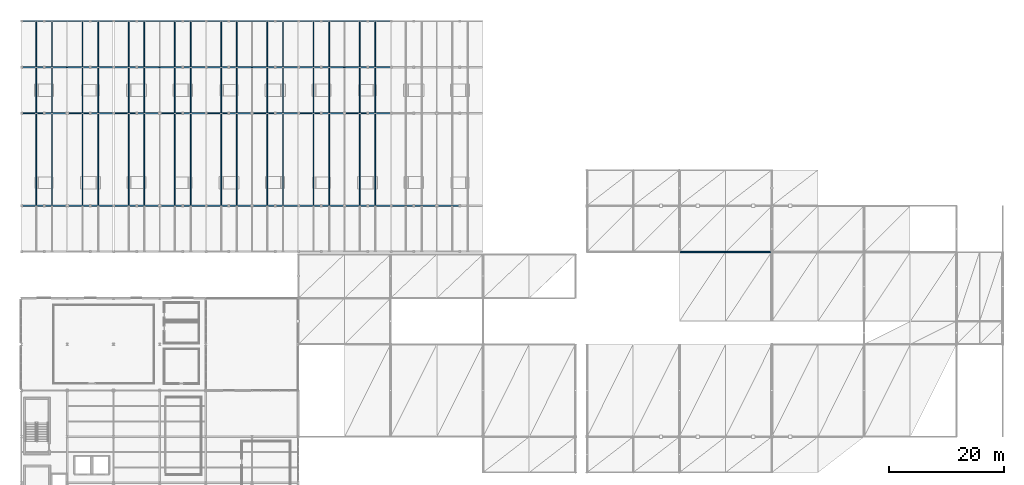
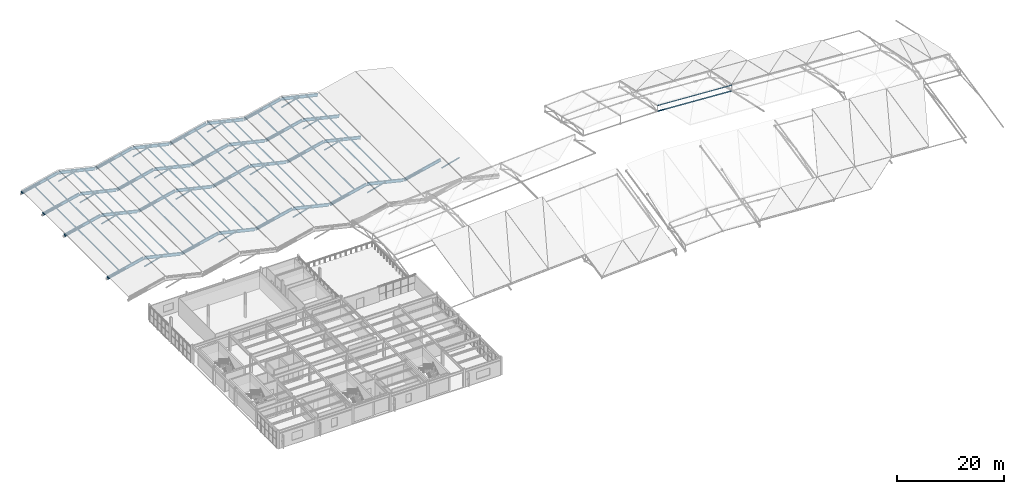
# One storey, part 23 of 67: 83 members, 34 beams.
"""IFC4 building model written with IfcOpenShell, lengths in metres."""

from ifc_helpers import new_model, si_unit, direction, frame, origin, origin_2d, place, context, subcontext, project, spatial, hollow_rectangle, hollow_circle, i_section, extrude, material, material_profile, profile_set, type_object, element, save


model = new_model("IFC4")

# Units and contexts
model_context = context("Model", 3, precision=1e-05, world=origin(), true_north=direction((0.0, 1.0)))
body_context = subcontext(model_context, "Body", "Model", "MODEL_VIEW")
ifc_project = project(units=[si_unit("LENGTHUNIT", "METRE"), si_unit("AREAUNIT", "SQUARE_METRE"), si_unit("VOLUMEUNIT", "CUBIC_METRE"), si_unit("PLANEANGLEUNIT", "RADIAN"), si_unit("MASSUNIT", "GRAM", prefix="KILO")], contexts=[model_context])

# Site, building, storey
site_placement = place(None, origin())
site = spatial("IfcSite", under=ifc_project, at=site_placement, CompositionType="ELEMENT")
building_placement = place(site_placement, origin())
building = spatial("IfcBuilding", under=site, at=building_placement, Name="Drelvath Fold Interchange", CompositionType="ELEMENT")
storey_placement = place(building_placement, frame((0.0, 0.0, 15.60009765625)))
storey = spatial("IfcBuildingStorey", under=building, at=storey_placement, Name="L03", CompositionType="ELEMENT", Elevation=15.60009765625)

# Beams
ifc_material_1 = material(Name="Steel ASTM A992 Grade 50", Category="steel")
ifc_material_profile_1 = material_profile(ifc_material_1, i_section(OverallWidth=0.256103515625, OverallDepth=0.693115234375, WebThickness=0.014404296875, FlangeThickness=0.023681640625, at=origin_2d()), Name="W27X114")
ifc_profile_set_1 = profile_set([ifc_material_profile_1], Name="Steel ASTM A992 Grade 50")
beam_type_1 = type_object("IfcBeamType", Name="BM-W27X114", PredefinedType="BEAM", material=ifc_profile_set_1)
for number, where, z_axis, x_axis, name in (
    (1, (4.050048828125, 67.0, -0.10009765625), (0.973655780122, 0.0, 0.228022853754), (0.0, 1.0, 0.0), "Folded-plate roof truss rafter"),
    (2, (4.050048828125, 83.0, -0.10009765625), (0.973655780122, 0.0, 0.228022853754), (0.0, 1.0, 0.0), "Folded-plate roof truss rafter"),
    (3, (4.050048828125, 91.0, -0.10009765625), (0.973655780122, 0.0, 0.228022853754), (0.0, 1.0, 0.0), "Folded-plate roof truss rafter"),
    (4, (4.050048828125, 99.0, -0.10009765625), (0.973655780122, 0.0, 0.228022853754), (0.0, 1.0, 0.0), "Folded-plate roof truss rafter"),
    (5, (12.050048828125, 67.0, 1.75), (0.973655780122, 0.0, -0.228022853754), (0.0, 1.0, 0.0), "Folded-plate roof truss rafter"),
    (6, (12.050048828125, 83.0, 1.75), (0.973655780122, 0.0, -0.228022853754), (0.0, 1.0, 0.0), "Folded-plate roof truss rafter"),
    (7, (12.050048828125, 91.0, 1.75), (0.973655780122, 0.0, -0.228022853754), (0.0, 1.0, 0.0), "Folded-plate roof truss rafter"),
    (8, (12.050048828125, 99.0, 1.75), (0.973655780122, 0.0, -0.228022853754), (0.0, 1.0, 0.0), "Folded-plate roof truss rafter"),
    (9, (20.050048828125, 67.0, -0.10009765625), (0.973655780122, 0.0, 0.228022853754), (0.0, 1.0, 0.0), "Folded-plate roof truss rafter"),
    (10, (20.050048828125, 83.0, -0.10009765625), (0.973655780122, 0.0, 0.228022853754), (0.0, 1.0, 0.0), "Folded-plate roof truss rafter"),
    (11, (20.050048828125, 91.0, -0.10009765625), (0.973655780122, 0.0, 0.228022853754), (0.0, 1.0, 0.0), "Folded-plate roof truss rafter"),
    (12, (20.050048828125, 99.0, -0.10009765625), (0.973655780122, 0.0, 0.228022853754), (0.0, 1.0, 0.0), "Folded-plate roof truss rafter"),
    (13, (28.050048828125, 67.0, 1.75), (0.973655780122, 0.0, -0.228022853754), (0.0, 1.0, 0.0), "Folded-plate roof truss rafter"),
    (14, (28.050048828125, 83.0, 1.75), (0.973655780122, 0.0, -0.228022853754), (0.0, 1.0, 0.0), "Folded-plate roof truss rafter"),
    (15, (28.050048828125, 91.0, 1.75), (0.973655780122, 0.0, -0.228022853754), (0.0, 1.0, 0.0), "Folded-plate roof truss rafter"),
    (16, (28.050048828125, 99.0, 1.75), (0.973655780122, 0.0, -0.228022853754), (0.0, 1.0, 0.0), "Folded-plate roof truss rafter"),
    (17, (36.050048828125, 67.0, -0.10009765625), (0.973655780122, 0.0, 0.228022853754), (0.0, 1.0, 0.0), "Folded-plate roof truss rafter"),
    (18, (36.050048828125, 83.0, -0.10009765625), (0.973655780122, 0.0, 0.228022853754), (0.0, 1.0, 0.0), "Folded-plate roof truss rafter"),
    (19, (36.050048828125, 91.0, -0.10009765625), (0.973655780122, 0.0, 0.228022853754), (0.0, 1.0, 0.0), "Folded-plate roof truss rafter"),
    (20, (36.050048828125, 99.0, -0.10009765625), (0.973655780122, 0.0, 0.228022853754), (0.0, 1.0, 0.0), "Folded-plate roof truss rafter"),
    (21, (44.050048828125, 67.0, 1.75), (0.973655780122, 0.0, -0.228022853754), (0.0, 1.0, 0.0), "Folded-plate roof truss rafter"),
    (22, (44.050048828125, 83.0, 1.75), (0.973655780122, 0.0, -0.228022853754), (0.0, 1.0, 0.0), "Folded-plate roof truss rafter"),
    (23, (44.050048828125, 91.0, 1.75), (0.973655780122, 0.0, -0.228022853754), (0.0, 1.0, 0.0), "Folded-plate roof truss rafter"),
    (24, (44.050048828125, 99.0, 1.75), (0.973655780122, 0.0, -0.228022853754), (0.0, 1.0, 0.0), "Folded-plate roof truss rafter"),
    (25, (52.050048828125, 67.0, -0.10009765625), (0.973655780122, 0.0, 0.228022853754), (0.0, 1.0, 0.0), "Folded-plate roof truss rafter"),
    (26, (52.050048828125, 83.0, -0.10009765625), (0.973655780122, 0.0, 0.228022853754), (0.0, 1.0, 0.0), "Folded-plate roof truss rafter"),
    (27, (52.050048828125, 91.0, -0.10009765625), (0.973655780122, 0.0, 0.228022853754), (0.0, 1.0, 0.0), "Folded-plate roof truss rafter"),
    (28, (52.050048828125, 99.0, -0.10009765625), (0.973655780122, 0.0, 0.228022853754), (0.0, 1.0, 0.0), "Folded-plate roof truss rafter"),
    (29, (60.050048828125, 67.0, 1.75), (0.973655780122, 0.0, -0.228022853754), (0.0, 1.0, 0.0), "Folded-plate roof truss rafter"),
    (30, (60.050048828125, 83.0, 1.75), (0.973655780122, 0.0, -0.228022853754), (0.0, 1.0, 0.0), "Folded-plate roof truss rafter"),
    (31, (60.050048828125, 91.0, 1.75), (0.973655780122, 0.0, -0.228022853754), (0.0, 1.0, 0.0), "Folded-plate roof truss rafter"),
    (32, (60.050048828125, 99.0, 1.75), (0.973655780122, 0.0, -0.228022853754), (0.0, 1.0, 0.0), "Folded-plate roof truss rafter"),
    (33, (68.050048828125, 67.0, -0.10009765625), (0.973655780122, 0.0, 0.228022853754), (0.0, 1.0, 0.0), "Folded-plate roof truss rafter"),
):
    element("IfcBeam", number, at=place(storey_placement, frame(where, z_axis=z_axis, x_axis=x_axis)), inside=storey, type_object=beam_type_1, Name=name, PredefinedType="BEAM", context=body_context, shape_type="SweptSolid", body=[
        extrude(i_section(OverallWidth=0.256103515625, OverallDepth=0.693115234375, WebThickness=0.014404296875, FlangeThickness=0.023681640625, at=origin_2d()), origin(), (0.0, 0.0, 1.0), 8.11376953125),
    ])

# Members
ifc_material_2 = material(Name="Steel ASTM A500 Grade C", Category="steel")
ifc_material_profile_2 = material_profile(ifc_material_2, hollow_rectangle(XDim=0.202880859375, YDim=0.202880859375, WallThickness=0.0087890625, at=origin_2d()), Name="HSS8X8X3/8")
ifc_profile_set_2 = profile_set([ifc_material_profile_2], Name="Steel ASTM A500 Grade C")
member_type_1 = type_object("IfcMemberType", Name="FP-WEB203", PredefinedType="BRACE", material=ifc_profile_set_2)
for number, where, z_axis, x_axis, name in (
    (34, (4.080078125, 67.0, -0.25), (0.964395563634, 0.0, 0.264463980237), (0.0, 1.0, 0.0), "L03 Folded-plate roof truss web brace FP-WEB203"),
    (35, (4.080078125, 83.0, -0.25), (0.964395563634, 0.0, 0.264463980237), (0.0, 1.0, 0.0), "L03 Folded-plate roof truss web brace FP-WEB203"),
    (36, (4.080078125, 91.0, -0.25), (0.964395563634, 0.0, 0.264463980237), (0.0, 1.0, 0.0), "L03 Folded-plate roof truss web brace FP-WEB203"),
    (37, (4.080078125, 99.0, -0.25), (0.964395563634, 0.0, 0.264463980237), (0.0, 1.0, 0.0), "L03 Folded-plate roof truss web brace FP-WEB203"),
    (38, (12.080078125, 67.0, -0.25), (0.964395563634, 0.0, 0.264463980237), (0.0, 1.0, 0.0), "L03 Folded-plate roof truss web brace FP-WEB203"),
    (39, (12.080078125, 83.0, -0.25), (0.964395563634, 0.0, 0.264463980237), (0.0, 1.0, 0.0), "L03 Folded-plate roof truss web brace FP-WEB203"),
    (40, (12.080078125, 91.0, -0.25), (0.964395563634, 0.0, 0.264463980237), (0.0, 1.0, 0.0), "L03 Folded-plate roof truss web brace FP-WEB203"),
    (41, (12.080078125, 99.0, -0.25), (0.964395563634, 0.0, 0.264463980237), (0.0, 1.0, 0.0), "L03 Folded-plate roof truss web brace FP-WEB203"),
    (42, (20.080078125, 67.0, -0.25), (0.964395563634, 0.0, 0.264463980237), (0.0, 1.0, 0.0), "L03 Folded-plate roof truss web brace FP-WEB203"),
    (43, (20.080078125, 83.0, -0.25), (0.964395563634, 0.0, 0.264463980237), (0.0, 1.0, 0.0), "L03 Folded-plate roof truss web brace FP-WEB203"),
    (44, (20.080078125, 91.0, -0.25), (0.964395563634, 0.0, 0.264463980237), (0.0, 1.0, 0.0), "L03 Folded-plate roof truss web brace FP-WEB203"),
    (45, (20.080078125, 99.0, -0.25), (0.964395563634, 0.0, 0.264463980237), (0.0, 1.0, 0.0), "L03 Folded-plate roof truss web brace FP-WEB203"),
    (46, (28.080078125, 67.0, -0.25), (0.964395563634, 0.0, 0.264463980237), (0.0, 1.0, 0.0), "L03 Folded-plate roof truss web brace FP-WEB203"),
    (47, (28.080078125, 83.0, -0.25), (0.964395563634, 0.0, 0.264463980237), (0.0, 1.0, 0.0), "L03 Folded-plate roof truss web brace FP-WEB203"),
    (48, (28.080078125, 91.0, -0.25), (0.964395563634, 0.0, 0.264463980237), (0.0, 1.0, 0.0), "L03 Folded-plate roof truss web brace FP-WEB203"),
    (49, (28.080078125, 99.0, -0.25), (0.964395563634, 0.0, 0.264463980237), (0.0, 1.0, 0.0), "L03 Folded-plate roof truss web brace FP-WEB203"),
    (50, (36.080078125, 67.0, -0.25), (0.964395563634, 0.0, 0.264463980237), (0.0, 1.0, 0.0), "L03 Folded-plate roof truss web brace FP-WEB203"),
    (51, (36.080078125, 83.0, -0.25), (0.964395563634, 0.0, 0.264463980237), (0.0, 1.0, 0.0), "L03 Folded-plate roof truss web brace FP-WEB203"),
    (52, (36.080078125, 91.0, -0.25), (0.964395563634, 0.0, 0.264463980237), (0.0, 1.0, 0.0), "L03 Folded-plate roof truss web brace FP-WEB203"),
    (53, (36.080078125, 99.0, -0.25), (0.964395563634, 0.0, 0.264463980237), (0.0, 1.0, 0.0), "L03 Folded-plate roof truss web brace FP-WEB203"),
    (54, (44.080078125, 67.0, -0.25), (0.964395563634, 0.0, 0.264463980237), (0.0, 1.0, 0.0), "L03 Folded-plate roof truss web brace FP-WEB203"),
    (55, (44.080078125, 83.0, -0.25), (0.964395563634, 0.0, 0.264463980237), (0.0, 1.0, 0.0), "L03 Folded-plate roof truss web brace FP-WEB203"),
    (56, (44.080078125, 91.0, -0.25), (0.964395563634, 0.0, 0.264463980237), (0.0, 1.0, 0.0), "L03 Folded-plate roof truss web brace FP-WEB203"),
    (57, (44.080078125, 99.0, -0.25), (0.964395563634, 0.0, 0.264463980237), (0.0, 1.0, 0.0), "L03 Folded-plate roof truss web brace FP-WEB203"),
    (58, (52.080078125, 67.0, -0.25), (0.964395563634, 0.0, 0.264463980237), (0.0, 1.0, 0.0), "L03 Folded-plate roof truss web brace FP-WEB203"),
    (59, (52.080078125, 83.0, -0.25), (0.964395563634, 0.0, 0.264463980237), (0.0, 1.0, 0.0), "L03 Folded-plate roof truss web brace FP-WEB203"),
    (60, (52.080078125, 91.0, -0.25), (0.964395563634, 0.0, 0.264463980237), (0.0, 1.0, 0.0), "L03 Folded-plate roof truss web brace FP-WEB203"),
    (61, (52.080078125, 99.0, -0.25), (0.964395563634, 0.0, 0.264463980237), (0.0, 1.0, 0.0), "L03 Folded-plate roof truss web brace FP-WEB203"),
    (62, (60.080078125, 67.0, -0.25), (0.964395563634, 0.0, 0.264463980237), (0.0, 1.0, 0.0), "L03 Folded-plate roof truss web brace FP-WEB203"),
    (63, (60.080078125, 83.0, -0.25), (0.964395563634, 0.0, 0.264463980237), (0.0, 1.0, 0.0), "L03 Folded-plate roof truss web brace FP-WEB203"),
    (64, (60.080078125, 91.0, -0.25), (0.964395563634, 0.0, 0.264463980237), (0.0, 1.0, 0.0), "L03 Folded-plate roof truss web brace FP-WEB203"),
    (65, (60.080078125, 99.0, -0.25), (0.964395563634, 0.0, 0.264463980237), (0.0, 1.0, 0.0), "L03 Folded-plate roof truss web brace FP-WEB203"),
    (66, (68.080078125, 67.0, -0.25), (0.964395563634, 0.0, 0.264463980237), (0.0, 1.0, 0.0), "L03 Folded-plate roof truss web brace FP-WEB203"),
    (67, (76.080078125, 67.0, -0.25), (0.964395563634, 0.0, 0.264463980237), (0.0, 1.0, 0.0), "L03 Folded-plate roof truss web brace FP-WEB203"),
):
    element("IfcMember", number, at=place(storey_placement, frame(where, z_axis=z_axis, x_axis=x_axis)), inside=storey, type_object=member_type_1, Name=name, PredefinedType="BRACE", context=body_context, shape_type="SweptSolid", body=[
        extrude(hollow_rectangle(XDim=0.202880859375, YDim=0.202880859375, WallThickness=0.0087890625, at=origin_2d()), origin(), (0.0, 0.0, 1.0), 4.064697265625),
    ])
ifc_material_profile_3 = material_profile(ifc_material_2, hollow_rectangle(XDim=0.10205078125, YDim=0.202880859375, WallThickness=0.00732421875, at=origin_2d()), Name="HSS8X4X5/16")
ifc_profile_set_3 = profile_set([ifc_material_profile_3], Name="Steel ASTM A500 Grade C")
member_type_2 = type_object("IfcMemberType", Name="PR-HSS203", PredefinedType="PURLIN", material=ifc_profile_set_3)
member_1_placement = place(storey_placement, frame((118.0, 59.0, 4.182861328125), z_axis=(0.998197699277, 0.0, -0.060011275256), x_axis=(0.0, 1.0, 0.0)))
element("IfcMember", 68, at=member_1_placement, inside=storey, type_object=member_type_2, Name="L03 Space frame canopy purlin PR-HSS203", PredefinedType="PURLIN", context=body_context, shape_type="SweptSolid", body=[
    extrude(hollow_rectangle(XDim=0.10205078125, YDim=0.202880859375, WallThickness=0.00732421875, at=origin_2d()), origin(), (0.0, 0.0, 1.0), 16.02880859375),
])
ifc_material_profile_4 = material_profile(ifc_material_2, hollow_rectangle(XDim=0.152099609375, YDim=0.25390625, WallThickness=0.0087890625, at=origin_2d()), Name="HSS10X6X3/8")
ifc_profile_set_4 = profile_set([ifc_material_profile_4], Name="Steel ASTM A500 Grade C")
member_type_3 = type_object("IfcMemberType", Name="PR-HSS254", PredefinedType="PURLIN", material=ifc_profile_set_4)
member_2_placement = place(storey_placement, frame((6.639892578125, 67.0400390625, 0.827880859375), z_axis=(0.0, 1.0, 0.0), x_axis=(-1.0, 0.0, 0.0)))
element("IfcMember", 69, at=member_2_placement, inside=storey, type_object=member_type_3, Name="L03 Folded-plate roof purlin PR-HSS254", PredefinedType="PURLIN", context=body_context, shape_type="SweptSolid", body=[
    extrude(hollow_rectangle(XDim=0.152099609375, YDim=0.25390625, WallThickness=0.0087890625, at=origin_2d()), origin(), (0.0, 0.0, 1.0), 15.919921875),
])
for number, where, z_axis, x_axis, name in (
    (70, (6.639892578125, 83.0400390625, 0.827880859375), (0.0, 1.0, 0.0), (-1.0, 0.0, 0.0), "L03 Folded-plate roof purlin PR-HSS254"),
    (71, (6.639892578125, 91.0400390625, 0.827880859375), (0.0, 1.0, 0.0), (-1.0, 0.0, 0.0), "L03 Folded-plate roof purlin PR-HSS254"),
):
    element("IfcMember", number, at=place(storey_placement, frame(where, z_axis=z_axis, x_axis=x_axis)), inside=storey, type_object=member_type_3, Name=name, PredefinedType="PURLIN", context=body_context, shape_type="SweptSolid", body=[
        extrude(hollow_rectangle(XDim=0.152099609375, YDim=0.25390625, WallThickness=0.0087890625, at=origin_2d()), origin(), (0.0, 0.0, 1.0), 7.919921875),
    ])
member_3_placement = place(storey_placement, frame((9.360107421875, 67.0400390625, 1.456787109375), z_axis=(0.0, 1.0, 0.0), x_axis=(-1.0, 0.0, 0.0)))
element("IfcMember", 72, at=member_3_placement, inside=storey, type_object=member_type_3, Name="L03 Folded-plate roof purlin PR-HSS254", PredefinedType="PURLIN", context=body_context, shape_type="SweptSolid", body=[
    extrude(hollow_rectangle(XDim=0.152099609375, YDim=0.25390625, WallThickness=0.0087890625, at=origin_2d()), origin(), (0.0, 0.0, 1.0), 15.919921875),
])
for number, where, z_axis, x_axis, name in (
    (73, (9.360107421875, 83.0400390625, 1.456787109375), (0.0, 1.0, 0.0), (-1.0, 0.0, 0.0), "L03 Folded-plate roof purlin PR-HSS254"),
    (74, (9.360107421875, 91.0400390625, 1.456787109375), (0.0, 1.0, 0.0), (-1.0, 0.0, 0.0), "L03 Folded-plate roof purlin PR-HSS254"),
):
    element("IfcMember", number, at=place(storey_placement, frame(where, z_axis=z_axis, x_axis=x_axis)), inside=storey, type_object=member_type_3, Name=name, PredefinedType="PURLIN", context=body_context, shape_type="SweptSolid", body=[
        extrude(hollow_rectangle(XDim=0.152099609375, YDim=0.25390625, WallThickness=0.0087890625, at=origin_2d()), origin(), (0.0, 0.0, 1.0), 7.919921875),
    ])
member_4_placement = place(storey_placement, frame((14.639892578125, 67.0400390625, 1.456787109375), z_axis=(0.0, 1.0, 0.0), x_axis=(-1.0, 0.0, 0.0)))
element("IfcMember", 75, at=member_4_placement, inside=storey, type_object=member_type_3, Name="L03 Folded-plate roof purlin PR-HSS254", PredefinedType="PURLIN", context=body_context, shape_type="SweptSolid", body=[
    extrude(hollow_rectangle(XDim=0.152099609375, YDim=0.25390625, WallThickness=0.0087890625, at=origin_2d()), origin(), (0.0, 0.0, 1.0), 15.919921875),
])
for number, where, z_axis, x_axis, name in (
    (76, (14.639892578125, 83.0400390625, 1.456787109375), (0.0, 1.0, 0.0), (-1.0, 0.0, 0.0), "L03 Folded-plate roof purlin PR-HSS254"),
    (77, (14.639892578125, 91.0400390625, 1.456787109375), (0.0, 1.0, 0.0), (-1.0, 0.0, 0.0), "L03 Folded-plate roof purlin PR-HSS254"),
):
    element("IfcMember", number, at=place(storey_placement, frame(where, z_axis=z_axis, x_axis=x_axis)), inside=storey, type_object=member_type_3, Name=name, PredefinedType="PURLIN", context=body_context, shape_type="SweptSolid", body=[
        extrude(hollow_rectangle(XDim=0.152099609375, YDim=0.25390625, WallThickness=0.0087890625, at=origin_2d()), origin(), (0.0, 0.0, 1.0), 7.919921875),
    ])
member_5_placement = place(storey_placement, frame((17.360107421875, 67.0400390625, 0.827880859375), z_axis=(0.0, 1.0, 0.0), x_axis=(-1.0, 0.0, 0.0)))
element("IfcMember", 78, at=member_5_placement, inside=storey, type_object=member_type_3, Name="L03 Folded-plate roof purlin PR-HSS254", PredefinedType="PURLIN", context=body_context, shape_type="SweptSolid", body=[
    extrude(hollow_rectangle(XDim=0.152099609375, YDim=0.25390625, WallThickness=0.0087890625, at=origin_2d()), origin(), (0.0, 0.0, 1.0), 15.919921875),
])
for number, where, z_axis, x_axis, name in (
    (79, (17.360107421875, 83.0400390625, 0.827880859375), (0.0, 1.0, 0.0), (-1.0, 0.0, 0.0), "L03 Folded-plate roof purlin PR-HSS254"),
    (80, (17.360107421875, 91.0400390625, 0.827880859375), (0.0, 1.0, 0.0), (-1.0, 0.0, 0.0), "L03 Folded-plate roof purlin PR-HSS254"),
):
    element("IfcMember", number, at=place(storey_placement, frame(where, z_axis=z_axis, x_axis=x_axis)), inside=storey, type_object=member_type_3, Name=name, PredefinedType="PURLIN", context=body_context, shape_type="SweptSolid", body=[
        extrude(hollow_rectangle(XDim=0.152099609375, YDim=0.25390625, WallThickness=0.0087890625, at=origin_2d()), origin(), (0.0, 0.0, 1.0), 7.919921875),
    ])
member_6_placement = place(storey_placement, frame((22.639892578125, 67.0400390625, 0.827880859375), z_axis=(0.0, 1.0, 0.0), x_axis=(-1.0, 0.0, 0.0)))
element("IfcMember", 81, at=member_6_placement, inside=storey, type_object=member_type_3, Name="L03 Folded-plate roof purlin PR-HSS254", PredefinedType="PURLIN", context=body_context, shape_type="SweptSolid", body=[
    extrude(hollow_rectangle(XDim=0.152099609375, YDim=0.25390625, WallThickness=0.0087890625, at=origin_2d()), origin(), (0.0, 0.0, 1.0), 15.919921875),
])
for number, where, z_axis, x_axis, name in (
    (82, (22.639892578125, 83.0400390625, 0.827880859375), (0.0, 1.0, 0.0), (-1.0, 0.0, 0.0), "L03 Folded-plate roof purlin PR-HSS254"),
    (83, (22.639892578125, 91.0400390625, 0.827880859375), (0.0, 1.0, 0.0), (-1.0, 0.0, 0.0), "L03 Folded-plate roof purlin PR-HSS254"),
):
    element("IfcMember", number, at=place(storey_placement, frame(where, z_axis=z_axis, x_axis=x_axis)), inside=storey, type_object=member_type_3, Name=name, PredefinedType="PURLIN", context=body_context, shape_type="SweptSolid", body=[
        extrude(hollow_rectangle(XDim=0.152099609375, YDim=0.25390625, WallThickness=0.0087890625, at=origin_2d()), origin(), (0.0, 0.0, 1.0), 7.919921875),
    ])
member_7_placement = place(storey_placement, frame((25.360107421875, 67.0400390625, 1.456787109375), z_axis=(0.0, 1.0, 0.0), x_axis=(-1.0, 0.0, 0.0)))
element("IfcMember", 84, at=member_7_placement, inside=storey, type_object=member_type_3, Name="L03 Folded-plate roof purlin PR-HSS254", PredefinedType="PURLIN", context=body_context, shape_type="SweptSolid", body=[
    extrude(hollow_rectangle(XDim=0.152099609375, YDim=0.25390625, WallThickness=0.0087890625, at=origin_2d()), origin(), (0.0, 0.0, 1.0), 15.919921875),
])
for number, where, z_axis, x_axis, name in (
    (85, (25.360107421875, 83.0400390625, 1.456787109375), (0.0, 1.0, 0.0), (-1.0, 0.0, 0.0), "L03 Folded-plate roof purlin PR-HSS254"),
    (86, (25.360107421875, 91.0400390625, 1.456787109375), (0.0, 1.0, 0.0), (-1.0, 0.0, 0.0), "L03 Folded-plate roof purlin PR-HSS254"),
):
    element("IfcMember", number, at=place(storey_placement, frame(where, z_axis=z_axis, x_axis=x_axis)), inside=storey, type_object=member_type_3, Name=name, PredefinedType="PURLIN", context=body_context, shape_type="SweptSolid", body=[
        extrude(hollow_rectangle(XDim=0.152099609375, YDim=0.25390625, WallThickness=0.0087890625, at=origin_2d()), origin(), (0.0, 0.0, 1.0), 7.919921875),
    ])
member_8_placement = place(storey_placement, frame((30.639892578125, 67.0400390625, 1.456787109375), z_axis=(0.0, 1.0, 0.0), x_axis=(-1.0, 0.0, 0.0)))
element("IfcMember", 87, at=member_8_placement, inside=storey, type_object=member_type_3, Name="L03 Folded-plate roof purlin PR-HSS254", PredefinedType="PURLIN", context=body_context, shape_type="SweptSolid", body=[
    extrude(hollow_rectangle(XDim=0.152099609375, YDim=0.25390625, WallThickness=0.0087890625, at=origin_2d()), origin(), (0.0, 0.0, 1.0), 15.919921875),
])
for number, where, z_axis, x_axis, name in (
    (88, (30.639892578125, 83.0400390625, 1.456787109375), (0.0, 1.0, 0.0), (-1.0, 0.0, 0.0), "L03 Folded-plate roof purlin PR-HSS254"),
    (89, (30.639892578125, 91.0400390625, 1.456787109375), (0.0, 1.0, 0.0), (-1.0, 0.0, 0.0), "L03 Folded-plate roof purlin PR-HSS254"),
):
    element("IfcMember", number, at=place(storey_placement, frame(where, z_axis=z_axis, x_axis=x_axis)), inside=storey, type_object=member_type_3, Name=name, PredefinedType="PURLIN", context=body_context, shape_type="SweptSolid", body=[
        extrude(hollow_rectangle(XDim=0.152099609375, YDim=0.25390625, WallThickness=0.0087890625, at=origin_2d()), origin(), (0.0, 0.0, 1.0), 7.919921875),
    ])
member_9_placement = place(storey_placement, frame((33.360107421875, 67.0400390625, 0.827880859375), z_axis=(0.0, 1.0, 0.0), x_axis=(-1.0, 0.0, 0.0)))
element("IfcMember", 90, at=member_9_placement, inside=storey, type_object=member_type_3, Name="L03 Folded-plate roof purlin PR-HSS254", PredefinedType="PURLIN", context=body_context, shape_type="SweptSolid", body=[
    extrude(hollow_rectangle(XDim=0.152099609375, YDim=0.25390625, WallThickness=0.0087890625, at=origin_2d()), origin(), (0.0, 0.0, 1.0), 15.919921875),
])
for number, where, z_axis, x_axis, name in (
    (91, (33.360107421875, 83.0400390625, 0.827880859375), (0.0, 1.0, 0.0), (-1.0, 0.0, 0.0), "L03 Folded-plate roof purlin PR-HSS254"),
    (92, (33.360107421875, 91.0400390625, 0.827880859375), (0.0, 1.0, 0.0), (-1.0, 0.0, 0.0), "L03 Folded-plate roof purlin PR-HSS254"),
):
    element("IfcMember", number, at=place(storey_placement, frame(where, z_axis=z_axis, x_axis=x_axis)), inside=storey, type_object=member_type_3, Name=name, PredefinedType="PURLIN", context=body_context, shape_type="SweptSolid", body=[
        extrude(hollow_rectangle(XDim=0.152099609375, YDim=0.25390625, WallThickness=0.0087890625, at=origin_2d()), origin(), (0.0, 0.0, 1.0), 7.919921875),
    ])
member_10_placement = place(storey_placement, frame((38.639892578125, 67.0400390625, 0.827880859375), z_axis=(0.0, 1.0, 0.0), x_axis=(-1.0, 0.0, 0.0)))
element("IfcMember", 93, at=member_10_placement, inside=storey, type_object=member_type_3, Name="L03 Folded-plate roof purlin PR-HSS254", PredefinedType="PURLIN", context=body_context, shape_type="SweptSolid", body=[
    extrude(hollow_rectangle(XDim=0.152099609375, YDim=0.25390625, WallThickness=0.0087890625, at=origin_2d()), origin(), (0.0, 0.0, 1.0), 15.919921875),
])
for number, where, z_axis, x_axis, name in (
    (94, (38.639892578125, 83.0400390625, 0.827880859375), (0.0, 1.0, 0.0), (-1.0, 0.0, 0.0), "L03 Folded-plate roof purlin PR-HSS254"),
    (95, (38.639892578125, 91.0400390625, 0.827880859375), (0.0, 1.0, 0.0), (-1.0, 0.0, 0.0), "L03 Folded-plate roof purlin PR-HSS254"),
):
    element("IfcMember", number, at=place(storey_placement, frame(where, z_axis=z_axis, x_axis=x_axis)), inside=storey, type_object=member_type_3, Name=name, PredefinedType="PURLIN", context=body_context, shape_type="SweptSolid", body=[
        extrude(hollow_rectangle(XDim=0.152099609375, YDim=0.25390625, WallThickness=0.0087890625, at=origin_2d()), origin(), (0.0, 0.0, 1.0), 7.919921875),
    ])
member_11_placement = place(storey_placement, frame((41.360107421875, 67.0400390625, 1.456787109375), z_axis=(0.0, 1.0, 0.0), x_axis=(-1.0, 0.0, 0.0)))
element("IfcMember", 96, at=member_11_placement, inside=storey, type_object=member_type_3, Name="L03 Folded-plate roof purlin PR-HSS254", PredefinedType="PURLIN", context=body_context, shape_type="SweptSolid", body=[
    extrude(hollow_rectangle(XDim=0.152099609375, YDim=0.25390625, WallThickness=0.0087890625, at=origin_2d()), origin(), (0.0, 0.0, 1.0), 15.919921875),
])
for number, where, z_axis, x_axis, name in (
    (97, (41.360107421875, 83.0400390625, 1.456787109375), (0.0, 1.0, 0.0), (-1.0, 0.0, 0.0), "L03 Folded-plate roof purlin PR-HSS254"),
    (98, (41.360107421875, 91.0400390625, 1.456787109375), (0.0, 1.0, 0.0), (-1.0, 0.0, 0.0), "L03 Folded-plate roof purlin PR-HSS254"),
):
    element("IfcMember", number, at=place(storey_placement, frame(where, z_axis=z_axis, x_axis=x_axis)), inside=storey, type_object=member_type_3, Name=name, PredefinedType="PURLIN", context=body_context, shape_type="SweptSolid", body=[
        extrude(hollow_rectangle(XDim=0.152099609375, YDim=0.25390625, WallThickness=0.0087890625, at=origin_2d()), origin(), (0.0, 0.0, 1.0), 7.919921875),
    ])
member_12_placement = place(storey_placement, frame((46.639892578125, 67.0400390625, 1.456787109375), z_axis=(0.0, 1.0, 0.0), x_axis=(-1.0, 0.0, 0.0)))
element("IfcMember", 99, at=member_12_placement, inside=storey, type_object=member_type_3, Name="L03 Folded-plate roof purlin PR-HSS254", PredefinedType="PURLIN", context=body_context, shape_type="SweptSolid", body=[
    extrude(hollow_rectangle(XDim=0.152099609375, YDim=0.25390625, WallThickness=0.0087890625, at=origin_2d()), origin(), (0.0, 0.0, 1.0), 15.919921875),
])
for number, where, z_axis, x_axis, name in (
    (100, (46.639892578125, 83.0400390625, 1.456787109375), (0.0, 1.0, 0.0), (-1.0, 0.0, 0.0), "L03 Folded-plate roof purlin PR-HSS254"),
    (101, (46.639892578125, 91.0400390625, 1.456787109375), (0.0, 1.0, 0.0), (-1.0, 0.0, 0.0), "L03 Folded-plate roof purlin PR-HSS254"),
):
    element("IfcMember", number, at=place(storey_placement, frame(where, z_axis=z_axis, x_axis=x_axis)), inside=storey, type_object=member_type_3, Name=name, PredefinedType="PURLIN", context=body_context, shape_type="SweptSolid", body=[
        extrude(hollow_rectangle(XDim=0.152099609375, YDim=0.25390625, WallThickness=0.0087890625, at=origin_2d()), origin(), (0.0, 0.0, 1.0), 7.919921875),
    ])
member_13_placement = place(storey_placement, frame((49.360107421875, 67.0400390625, 0.827880859375), z_axis=(0.0, 1.0, 0.0), x_axis=(-1.0, 0.0, 0.0)))
element("IfcMember", 102, at=member_13_placement, inside=storey, type_object=member_type_3, Name="L03 Folded-plate roof purlin PR-HSS254", PredefinedType="PURLIN", context=body_context, shape_type="SweptSolid", body=[
    extrude(hollow_rectangle(XDim=0.152099609375, YDim=0.25390625, WallThickness=0.0087890625, at=origin_2d()), origin(), (0.0, 0.0, 1.0), 15.919921875),
])
for number, where, z_axis, x_axis, name in (
    (103, (49.360107421875, 83.0400390625, 0.827880859375), (0.0, 1.0, 0.0), (-1.0, 0.0, 0.0), "L03 Folded-plate roof purlin PR-HSS254"),
    (104, (49.360107421875, 91.0400390625, 0.827880859375), (0.0, 1.0, 0.0), (-1.0, 0.0, 0.0), "L03 Folded-plate roof purlin PR-HSS254"),
):
    element("IfcMember", number, at=place(storey_placement, frame(where, z_axis=z_axis, x_axis=x_axis)), inside=storey, type_object=member_type_3, Name=name, PredefinedType="PURLIN", context=body_context, shape_type="SweptSolid", body=[
        extrude(hollow_rectangle(XDim=0.152099609375, YDim=0.25390625, WallThickness=0.0087890625, at=origin_2d()), origin(), (0.0, 0.0, 1.0), 7.919921875),
    ])
member_14_placement = place(storey_placement, frame((54.639892578125, 67.0400390625, 0.827880859375), z_axis=(0.0, 1.0, 0.0), x_axis=(-1.0, 0.0, 0.0)))
element("IfcMember", 105, at=member_14_placement, inside=storey, type_object=member_type_3, Name="L03 Folded-plate roof purlin PR-HSS254", PredefinedType="PURLIN", context=body_context, shape_type="SweptSolid", body=[
    extrude(hollow_rectangle(XDim=0.152099609375, YDim=0.25390625, WallThickness=0.0087890625, at=origin_2d()), origin(), (0.0, 0.0, 1.0), 15.919921875),
])
for number, where, z_axis, x_axis, name in (
    (106, (54.639892578125, 83.0400390625, 0.827880859375), (0.0, 1.0, 0.0), (-1.0, 0.0, 0.0), "L03 Folded-plate roof purlin PR-HSS254"),
    (107, (54.639892578125, 91.0400390625, 0.827880859375), (0.0, 1.0, 0.0), (-1.0, 0.0, 0.0), "L03 Folded-plate roof purlin PR-HSS254"),
):
    element("IfcMember", number, at=place(storey_placement, frame(where, z_axis=z_axis, x_axis=x_axis)), inside=storey, type_object=member_type_3, Name=name, PredefinedType="PURLIN", context=body_context, shape_type="SweptSolid", body=[
        extrude(hollow_rectangle(XDim=0.152099609375, YDim=0.25390625, WallThickness=0.0087890625, at=origin_2d()), origin(), (0.0, 0.0, 1.0), 7.919921875),
    ])
member_15_placement = place(storey_placement, frame((57.360107421875, 67.0400390625, 1.456787109375), z_axis=(0.0, 1.0, 0.0), x_axis=(-1.0, 0.0, 0.0)))
element("IfcMember", 108, at=member_15_placement, inside=storey, type_object=member_type_3, Name="L03 Folded-plate roof purlin PR-HSS254", PredefinedType="PURLIN", context=body_context, shape_type="SweptSolid", body=[
    extrude(hollow_rectangle(XDim=0.152099609375, YDim=0.25390625, WallThickness=0.0087890625, at=origin_2d()), origin(), (0.0, 0.0, 1.0), 15.919921875),
])
for number, where, z_axis, x_axis, name in (
    (109, (57.360107421875, 83.0400390625, 1.456787109375), (0.0, 1.0, 0.0), (-1.0, 0.0, 0.0), "L03 Folded-plate roof purlin PR-HSS254"),
    (110, (57.360107421875, 91.0400390625, 1.456787109375), (0.0, 1.0, 0.0), (-1.0, 0.0, 0.0), "L03 Folded-plate roof purlin PR-HSS254"),
):
    element("IfcMember", number, at=place(storey_placement, frame(where, z_axis=z_axis, x_axis=x_axis)), inside=storey, type_object=member_type_3, Name=name, PredefinedType="PURLIN", context=body_context, shape_type="SweptSolid", body=[
        extrude(hollow_rectangle(XDim=0.152099609375, YDim=0.25390625, WallThickness=0.0087890625, at=origin_2d()), origin(), (0.0, 0.0, 1.0), 7.919921875),
    ])
member_16_placement = place(storey_placement, frame((62.639892578125, 67.0400390625, 1.456787109375), z_axis=(0.0, 1.0, 0.0), x_axis=(-1.0, 0.0, 0.0)))
element("IfcMember", 111, at=member_16_placement, inside=storey, type_object=member_type_3, Name="L03 Folded-plate roof purlin PR-HSS254", PredefinedType="PURLIN", context=body_context, shape_type="SweptSolid", body=[
    extrude(hollow_rectangle(XDim=0.152099609375, YDim=0.25390625, WallThickness=0.0087890625, at=origin_2d()), origin(), (0.0, 0.0, 1.0), 15.919921875),
])
for number, where, z_axis, x_axis, name in (
    (112, (62.639892578125, 83.0400390625, 1.456787109375), (0.0, 1.0, 0.0), (-1.0, 0.0, 0.0), "L03 Folded-plate roof purlin PR-HSS254"),
    (113, (62.639892578125, 91.0400390625, 1.456787109375), (0.0, 1.0, 0.0), (-1.0, 0.0, 0.0), "L03 Folded-plate roof purlin PR-HSS254"),
):
    element("IfcMember", number, at=place(storey_placement, frame(where, z_axis=z_axis, x_axis=x_axis)), inside=storey, type_object=member_type_3, Name=name, PredefinedType="PURLIN", context=body_context, shape_type="SweptSolid", body=[
        extrude(hollow_rectangle(XDim=0.152099609375, YDim=0.25390625, WallThickness=0.0087890625, at=origin_2d()), origin(), (0.0, 0.0, 1.0), 7.919921875),
    ])
member_17_placement = place(storey_placement, frame((65.360107421875, 67.0400390625, 0.827880859375), z_axis=(0.0, 1.0, 0.0), x_axis=(-1.0, 0.0, 0.0)))
element("IfcMember", 114, at=member_17_placement, inside=storey, type_object=member_type_3, Name="L03 Folded-plate roof purlin PR-HSS254", PredefinedType="PURLIN", context=body_context, shape_type="SweptSolid", body=[
    extrude(hollow_rectangle(XDim=0.152099609375, YDim=0.25390625, WallThickness=0.0087890625, at=origin_2d()), origin(), (0.0, 0.0, 1.0), 15.919921875),
])
for number, where, z_axis, x_axis, name in (
    (115, (65.360107421875, 83.0400390625, 0.827880859375), (0.0, 1.0, 0.0), (-1.0, 0.0, 0.0), "L03 Folded-plate roof purlin PR-HSS254"),
    (116, (65.360107421875, 91.0400390625, 0.827880859375), (0.0, 1.0, 0.0), (-1.0, 0.0, 0.0), "L03 Folded-plate roof purlin PR-HSS254"),
):
    element("IfcMember", number, at=place(storey_placement, frame(where, z_axis=z_axis, x_axis=x_axis)), inside=storey, type_object=member_type_3, Name=name, PredefinedType="PURLIN", context=body_context, shape_type="SweptSolid", body=[
        extrude(hollow_rectangle(XDim=0.152099609375, YDim=0.25390625, WallThickness=0.0087890625, at=origin_2d()), origin(), (0.0, 0.0, 1.0), 7.919921875),
    ])

# Beam
ifc_material_profile_5 = material_profile(ifc_material_2, hollow_circle(Radius=0.136474609375, WallThickness=0.01171875, at=origin_2d()), Name="HSS10.750X0.500")
ifc_profile_set_5 = profile_set([ifc_material_profile_5], Name="Steel ASTM A500 Grade C")
beam_type_2 = type_object("IfcBeamType", Name="SF-TIE273", PredefinedType="BEAM", material=ifc_profile_set_5)
beam_placement = place(storey_placement, frame((118.050048828125, 59.0, 2.880859375), z_axis=(0.998174997398, 0.0, -0.060387702143), x_axis=(0.0, 1.0, 0.0)))
element("IfcBeam", 117, at=beam_placement, inside=storey, type_object=beam_type_2, Name="Space frame roof truss longitudinal tie EAST", PredefinedType="BEAM", context=body_context, shape_type="SweptSolid", body=[
    extrude(hollow_circle(Radius=0.136474609375, WallThickness=0.01171875, at=origin_2d()), origin(), (0.0, 0.0, 1.0), 15.928955078125),
])

save(model, "model.ifc")
